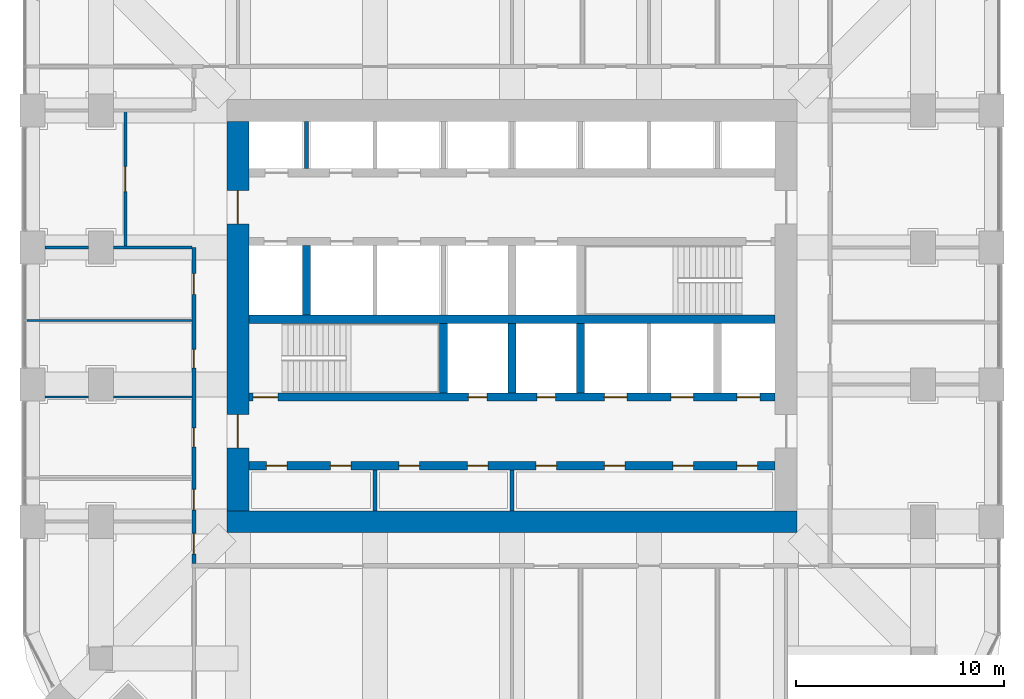
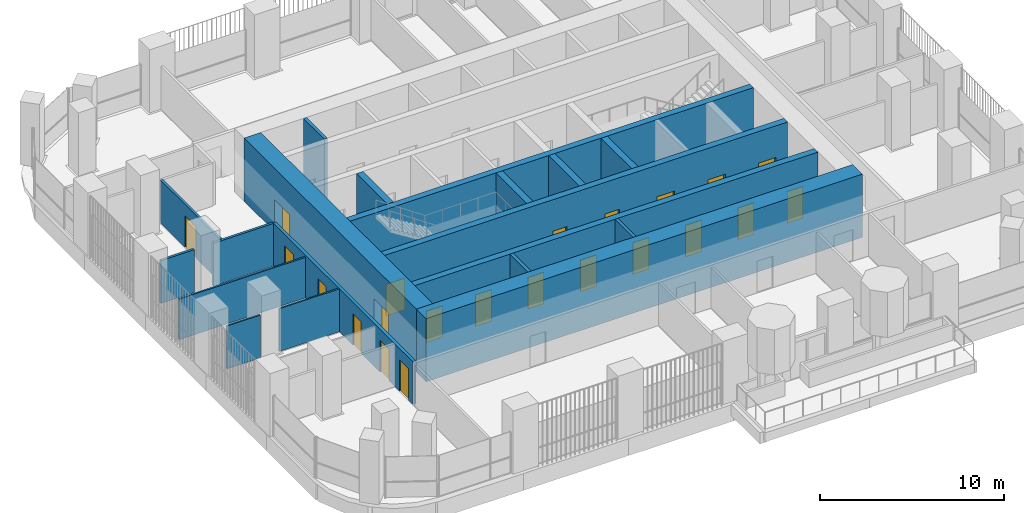
# One storey, part 13 of 19: 22 doors, 19 walls, 22 openings.
"""IFC4 building model written with IfcOpenShell, lengths in metres."""

from ifc_helpers import new_model, si_unit, direction, frame, frame_2d, origin, place, context, subcontext, project, spatial, rectangle, extrude, material, layer, layer_set, type_object, element, fill, save


model = new_model("IFC4")

# Units and contexts
model_context = context("Model", 3, precision=1e-05, world=origin(), true_north=direction((0.0, 1.0)))
body_context = subcontext(model_context, "Body", "Model", "MODEL_VIEW")
ifc_project = project(units=[si_unit("LENGTHUNIT", "METRE"), si_unit("AREAUNIT", "SQUARE_METRE"), si_unit("VOLUMEUNIT", "CUBIC_METRE"), si_unit("PLANEANGLEUNIT", "RADIAN"), si_unit("MASSUNIT", "GRAM", prefix="KILO")], contexts=[model_context])

# Site, building, storey
site_placement = place(None, origin())
site = spatial("IfcSite", under=ifc_project, at=site_placement, CompositionType="ELEMENT")
building_placement = place(site_placement, origin())
building = spatial("IfcBuilding", under=site, at=building_placement, Name="Cobogo Forest Laboratory Tower", CompositionType="ELEMENT")
storey_placement = place(building_placement, frame((0.0, 0.0, 172.5)))
storey = spatial("IfcBuildingStorey", under=building, at=storey_placement, Name="L39", CompositionType="ELEMENT", Elevation=172.5)

# Wall, openings, doors
ifc_material_1 = material(Name="Concrete HA-50 (C50/60)", Category="concrete")
ifc_layer_1 = layer(ifc_material_1, 0.39990234375)
ifc_layer_set_1 = layer_set([ifc_layer_1], Name="CI400 core inner wall 400")
wall_type_1 = type_object("IfcWallType", Name="CI400 core inner wall 400", PredefinedType="SHEAR", material=ifc_layer_set_1)
wall_1_placement = place(storey_placement, frame((13.72509765625, 15.89990234375, 0.0), z_axis=(0.0, 0.0, 1.0), x_axis=(1.0, 0.0, 0.0)))
wall_1 = element("IfcWall", 1, at=wall_1_placement, inside=storey, type_object=wall_type_1, Name="Core wall CI-15.9 L39", PredefinedType="SHEAR", context=body_context, shape_type="SweptSolid", body=[
    extrude(rectangle(XDim=25.349853515625, YDim=0.39990234375, at=frame_2d((12.6748046875, 0.0))), origin(), (0.0, 0.0, 1.0), 4.199951171875),
])
opening_1_placement = place(wall_1_placement, frame((0.83740234375, 0.0, 0.0)))
opening_1 = element("IfcOpeningElement", 2, at=opening_1_placement, cuts=wall_1, Name="Opening L39-D10", PredefinedType="OPENING", context=body_context, shape_type="SweptSolid", body=[
    extrude(rectangle(XDim=1.0, YDim=2.10009765625, at=frame_2d((0.5, 1.050048828125))), frame((0.0, 0.2099609375, 0.0), z_axis=(0.0, -1.0, 0.0), x_axis=(1.0, 0.0, 0.0)), (0.0, 0.0, 1.0), 0.419921875),
])
opening_2_placement = place(wall_1_placement, frame((3.925048828125, 0.0, 0.0)))
opening_2 = element("IfcOpeningElement", 3, at=opening_2_placement, cuts=wall_1, Name="Opening L39-D11", PredefinedType="OPENING", context=body_context, shape_type="SweptSolid", body=[
    extrude(rectangle(XDim=1.0, YDim=2.10009765625, at=frame_2d((0.5, 1.050048828125))), frame((0.0, 0.2099609375, 0.0), z_axis=(0.0, -1.0, 0.0), x_axis=(1.0, 0.0, 0.0)), (0.0, 0.0, 1.0), 0.419921875),
])
opening_3_placement = place(wall_1_placement, frame((7.22509765625, 0.0, 0.0)))
opening_3 = element("IfcOpeningElement", 4, at=opening_3_placement, cuts=wall_1, Name="Opening L39-D12", PredefinedType="OPENING", context=body_context, shape_type="SweptSolid", body=[
    extrude(rectangle(XDim=1.0, YDim=2.10009765625, at=frame_2d((0.5, 1.050048828125))), frame((0.0, 0.2099609375, 0.0), z_axis=(0.0, -1.0, 0.0), x_axis=(1.0, 0.0, 0.0)), (0.0, 0.0, 1.0), 0.419921875),
])
opening_4_placement = place(wall_1_placement, frame((10.52490234375, 0.0, 0.0)))
opening_4 = element("IfcOpeningElement", 5, at=opening_4_placement, cuts=wall_1, Name="Opening L39-D13", PredefinedType="OPENING", context=body_context, shape_type="SweptSolid", body=[
    extrude(rectangle(XDim=1.0, YDim=2.10009765625, at=frame_2d((0.5, 1.050048828125))), frame((0.0, 0.2099609375, 0.0), z_axis=(0.0, -1.0, 0.0), x_axis=(1.0, 0.0, 0.0)), (0.0, 0.0, 1.0), 0.419921875),
])
opening_5_placement = place(wall_1_placement, frame((13.824951171875, 0.0, 0.0)))
opening_5 = element("IfcOpeningElement", 6, at=opening_5_placement, cuts=wall_1, Name="Opening L39-D14", PredefinedType="OPENING", context=body_context, shape_type="SweptSolid", body=[
    extrude(rectangle(XDim=1.0, YDim=2.10009765625, at=frame_2d((0.5, 1.050048828125))), frame((0.0, 0.2099609375, 0.0), z_axis=(0.0, -1.0, 0.0), x_axis=(1.0, 0.0, 0.0)), (0.0, 0.0, 1.0), 0.419921875),
])
opening_6_placement = place(wall_1_placement, frame((17.125, 0.0, 0.0)))
opening_6 = element("IfcOpeningElement", 7, at=opening_6_placement, cuts=wall_1, Name="Opening L39-D15", PredefinedType="OPENING", context=body_context, shape_type="SweptSolid", body=[
    extrude(rectangle(XDim=1.0, YDim=2.10009765625, at=frame_2d((0.5, 1.050048828125))), frame((0.0, 0.2099609375, 0.0), z_axis=(0.0, -1.0, 0.0), x_axis=(1.0, 0.0, 0.0)), (0.0, 0.0, 1.0), 0.419921875),
])
opening_7_placement = place(wall_1_placement, frame((20.425048828125, 0.0, 0.0)))
opening_7 = element("IfcOpeningElement", 8, at=opening_7_placement, cuts=wall_1, Name="Opening L39-D16", PredefinedType="OPENING", context=body_context, shape_type="SweptSolid", body=[
    extrude(rectangle(XDim=1.0, YDim=2.10009765625, at=frame_2d((0.5, 1.050048828125))), frame((0.0, 0.2099609375, 0.0), z_axis=(0.0, -1.0, 0.0), x_axis=(1.0, 0.0, 0.0)), (0.0, 0.0, 1.0), 0.419921875),
])
opening_8_placement = place(wall_1_placement, frame((23.512451171875, 0.0, 0.0)))
opening_8 = element("IfcOpeningElement", 9, at=opening_8_placement, cuts=wall_1, Name="Opening L39-D17", PredefinedType="OPENING", context=body_context, shape_type="SweptSolid", body=[
    extrude(rectangle(XDim=1.0, YDim=2.10009765625, at=frame_2d((0.5, 1.050048828125))), frame((0.0, 0.2099609375, 0.0), z_axis=(0.0, -1.0, 0.0), x_axis=(1.0, 0.0, 0.0)), (0.0, 0.0, 1.0), 0.419921875),
])
ifc_material_2 = material(Name="Steel fire door", Category="steel")
door_type_1 = type_object("IfcDoorType", Name="FD1 fire door 1000 EI2 60", OperationType="SINGLE_SWING_LEFT", PredefinedType="DOOR", material=ifc_material_2)
door_1_placement = place(opening_1_placement, origin())
door_1 = element("IfcDoor", 10, at=door_1_placement, inside=storey, type_object=door_type_1, Name="Door L39-SH-LA1", OperationType="SINGLE_SWING_LEFT", OverallHeight=2.10009765625, OverallWidth=1.0, PredefinedType="DOOR", context=body_context, shape_type="SweptSolid", body=[
    extrude(rectangle(XDim=1.0, YDim=2.10009765625, at=frame_2d((0.5, 1.050048828125))), frame((0.0, 0.02490234375, 0.0), z_axis=(0.0, -1.0, 0.0), x_axis=(1.0, 0.0, 0.0)), (0.0, 0.0, 1.0), 0.050048828125),
])
fill(opening_1, door_1)
door_2_placement = place(opening_2_placement, origin())
door_2 = element("IfcDoor", 11, at=door_2_placement, inside=storey, type_object=door_type_1, Name="Door L39-SH-LA2", OperationType="SINGLE_SWING_LEFT", OverallHeight=2.10009765625, OverallWidth=1.0, PredefinedType="DOOR", context=body_context, shape_type="SweptSolid", body=[
    extrude(rectangle(XDim=1.0, YDim=2.10009765625, at=frame_2d((0.5, 1.050048828125))), frame((0.0, 0.02490234375, 0.0), z_axis=(0.0, -1.0, 0.0), x_axis=(1.0, 0.0, 0.0)), (0.0, 0.0, 1.0), 0.050048828125),
])
fill(opening_2, door_2)
door_3_placement = place(opening_3_placement, origin())
door_3 = element("IfcDoor", 12, at=door_3_placement, inside=storey, type_object=door_type_1, Name="Door L39-SH-LA3", OperationType="SINGLE_SWING_LEFT", OverallHeight=2.10009765625, OverallWidth=1.0, PredefinedType="DOOR", context=body_context, shape_type="SweptSolid", body=[
    extrude(rectangle(XDim=1.0, YDim=2.10009765625, at=frame_2d((0.5, 1.050048828125))), frame((0.0, 0.02490234375, 0.0), z_axis=(0.0, -1.0, 0.0), x_axis=(1.0, 0.0, 0.0)), (0.0, 0.0, 1.0), 0.050048828125),
])
fill(opening_3, door_3)
door_4_placement = place(opening_4_placement, origin())
door_4 = element("IfcDoor", 13, at=door_4_placement, inside=storey, type_object=door_type_1, Name="Door L39-SH-LA4", OperationType="SINGLE_SWING_LEFT", OverallHeight=2.10009765625, OverallWidth=1.0, PredefinedType="DOOR", context=body_context, shape_type="SweptSolid", body=[
    extrude(rectangle(XDim=1.0, YDim=2.10009765625, at=frame_2d((0.5, 1.050048828125))), frame((0.0, 0.02490234375, 0.0), z_axis=(0.0, -1.0, 0.0), x_axis=(1.0, 0.0, 0.0)), (0.0, 0.0, 1.0), 0.050048828125),
])
fill(opening_4, door_4)
door_5_placement = place(opening_5_placement, origin())
door_5 = element("IfcDoor", 14, at=door_5_placement, inside=storey, type_object=door_type_1, Name="Door L39-SH-LB1", OperationType="SINGLE_SWING_RIGHT", OverallHeight=2.10009765625, OverallWidth=1.0, PredefinedType="DOOR", context=body_context, shape_type="SweptSolid", body=[
    extrude(rectangle(XDim=1.0, YDim=2.10009765625, at=frame_2d((0.5, 1.050048828125))), frame((0.0, 0.02490234375, 0.0), z_axis=(0.0, -1.0, 0.0), x_axis=(1.0, 0.0, 0.0)), (0.0, 0.0, 1.0), 0.050048828125),
])
fill(opening_5, door_5)
door_6_placement = place(opening_6_placement, origin())
door_6 = element("IfcDoor", 15, at=door_6_placement, inside=storey, type_object=door_type_1, Name="Door L39-SH-LB2", OperationType="SINGLE_SWING_RIGHT", OverallHeight=2.10009765625, OverallWidth=1.0, PredefinedType="DOOR", context=body_context, shape_type="SweptSolid", body=[
    extrude(rectangle(XDim=1.0, YDim=2.10009765625, at=frame_2d((0.5, 1.050048828125))), frame((0.0, 0.02490234375, 0.0), z_axis=(0.0, -1.0, 0.0), x_axis=(1.0, 0.0, 0.0)), (0.0, 0.0, 1.0), 0.050048828125),
])
fill(opening_6, door_6)
door_7_placement = place(opening_7_placement, origin())
door_7 = element("IfcDoor", 16, at=door_7_placement, inside=storey, type_object=door_type_1, Name="Door L39-SH-LB3", OperationType="SINGLE_SWING_RIGHT", OverallHeight=2.10009765625, OverallWidth=1.0, PredefinedType="DOOR", context=body_context, shape_type="SweptSolid", body=[
    extrude(rectangle(XDim=1.0, YDim=2.10009765625, at=frame_2d((0.5, 1.050048828125))), frame((0.0, 0.02490234375, 0.0), z_axis=(0.0, -1.0, 0.0), x_axis=(1.0, 0.0, 0.0)), (0.0, 0.0, 1.0), 0.050048828125),
])
fill(opening_7, door_7)
door_8_placement = place(opening_8_placement, origin())
door_8 = element("IfcDoor", 17, at=door_8_placement, inside=storey, type_object=door_type_1, Name="Door L39-SH-LB4", OperationType="SINGLE_SWING_RIGHT", OverallHeight=2.10009765625, OverallWidth=1.0, PredefinedType="DOOR", context=body_context, shape_type="SweptSolid", body=[
    extrude(rectangle(XDim=1.0, YDim=2.10009765625, at=frame_2d((0.5, 1.050048828125))), frame((0.0, 0.02490234375, 0.0), z_axis=(0.0, -1.0, 0.0), x_axis=(1.0, 0.0, 0.0)), (0.0, 0.0, 1.0), 0.050048828125),
])
fill(opening_8, door_8)

wall_2_placement = place(storey_placement, frame((13.72509765625, 19.199951171875, 0.0), z_axis=(0.0, 0.0, 1.0), x_axis=(1.0, 0.0, 0.0)))
wall_2 = element("IfcWall", 18, at=wall_2_placement, inside=storey, type_object=wall_type_1, Name="Core wall CI-19.2 L39", PredefinedType="SHEAR", context=body_context, shape_type="SweptSolid", body=[
    extrude(rectangle(XDim=25.349853515625, YDim=0.39990234375, at=frame_2d((12.6748046875, 0.0))), origin(), (0.0, 0.0, 1.0), 4.199951171875),
])
opening_9_placement = place(wall_2_placement, frame((10.574951171875, 0.0, 0.0)))
opening_9 = element("IfcOpeningElement", 19, at=opening_9_placement, cuts=wall_2, Name="Opening L39-D22", PredefinedType="OPENING", context=body_context, shape_type="SweptSolid", body=[
    extrude(rectangle(XDim=0.89990234375, YDim=2.10009765625, at=frame_2d((0.449951171875, 1.050048828125))), frame((0.0, 0.2099609375, 0.0), z_axis=(0.0, -1.0, 0.0), x_axis=(1.0, 0.0, 0.0)), (0.0, 0.0, 1.0), 0.419921875),
])
opening_10_placement = place(wall_2_placement, frame((13.875, 0.0, 0.0)))
opening_10 = element("IfcOpeningElement", 20, at=opening_10_placement, cuts=wall_2, Name="Opening L39-D23", PredefinedType="OPENING", context=body_context, shape_type="SweptSolid", body=[
    extrude(rectangle(XDim=0.89990234375, YDim=2.10009765625, at=frame_2d((0.449951171875, 1.050048828125))), frame((0.0, 0.2099609375, 0.0), z_axis=(0.0, -1.0, 0.0), x_axis=(1.0, 0.0, 0.0)), (0.0, 0.0, 1.0), 0.419921875),
])
opening_11_placement = place(wall_2_placement, frame((0.199951171875, 0.0, 0.0)))
opening_11 = element("IfcOpeningElement", 21, at=opening_11_placement, cuts=wall_2, Name="Opening L39-D21", PredefinedType="OPENING", context=body_context, shape_type="SweptSolid", body=[
    extrude(rectangle(XDim=1.199951171875, YDim=2.10009765625, at=frame_2d((0.60009765625, 1.050048828125))), frame((0.0, 0.2099609375, 0.0), z_axis=(0.0, -1.0, 0.0), x_axis=(1.0, 0.0, 0.0)), (0.0, 0.0, 1.0), 0.419921875),
])
opening_12_placement = place(wall_2_placement, frame((23.512451171875, 0.0, 0.0)))
opening_12 = element("IfcOpeningElement", 22, at=opening_12_placement, cuts=wall_2, Name="Opening L39-LD-FL2", PredefinedType="OPENING", context=body_context, shape_type="SweptSolid", body=[
    extrude(rectangle(XDim=1.10009765625, YDim=2.10009765625, at=frame_2d((0.550048828125, 1.050048828125))), frame((0.0, 0.2099609375, 0.0), z_axis=(0.0, -1.0, 0.0), x_axis=(1.0, 0.0, 0.0)), (0.0, 0.0, 1.0), 0.419921875),
])
opening_13_placement = place(wall_2_placement, frame((17.125, 0.0, 0.0)))
opening_13 = element("IfcOpeningElement", 23, at=opening_13_placement, cuts=wall_2, Name="Opening L39-LD-LS1", PredefinedType="OPENING", context=body_context, shape_type="SweptSolid", body=[
    extrude(rectangle(XDim=1.10009765625, YDim=2.10009765625, at=frame_2d((0.550048828125, 1.050048828125))), frame((0.0, 0.2099609375, 0.0), z_axis=(0.0, -1.0, 0.0), x_axis=(1.0, 0.0, 0.0)), (0.0, 0.0, 1.0), 0.419921875),
])
opening_14_placement = place(wall_2_placement, frame((20.324951171875, 0.0, 0.0)))
opening_14 = element("IfcOpeningElement", 24, at=opening_14_placement, cuts=wall_2, Name="Opening L39-LD-LS2", PredefinedType="OPENING", context=body_context, shape_type="SweptSolid", body=[
    extrude(rectangle(XDim=1.10009765625, YDim=2.10009765625, at=frame_2d((0.550048828125, 1.050048828125))), frame((0.0, 0.2099609375, 0.0), z_axis=(0.0, -1.0, 0.0), x_axis=(1.0, 0.0, 0.0)), (0.0, 0.0, 1.0), 0.419921875),
])
door_type_2 = type_object("IfcDoorType", Name="DS1 protected stair door 1200 EI2 60", OperationType="SINGLE_SWING_LEFT", PredefinedType="DOOR", material=ifc_material_2)
door_9_placement = place(opening_11_placement, origin())
door_9 = element("IfcDoor", 25, at=door_9_placement, inside=storey, type_object=door_type_2, Name="Door L39-ST1", OperationType="SINGLE_SWING_LEFT", OverallHeight=2.10009765625, OverallWidth=1.199951171875, PredefinedType="DOOR", context=body_context, shape_type="SweptSolid", body=[
    extrude(rectangle(XDim=1.199951171875, YDim=2.10009765625, at=frame_2d((0.60009765625, 1.050048828125))), frame((0.0, 0.02490234375, 0.0), z_axis=(0.0, -1.0, 0.0), x_axis=(1.0, 0.0, 0.0)), (0.0, 0.0, 1.0), 0.050048828125),
])
fill(opening_11, door_9)
door_type_3 = type_object("IfcDoorType", Name="FD4 riser access door 900 EI2 60", OperationType="SINGLE_SWING_LEFT", PredefinedType="DOOR", material=ifc_material_2)
door_10_placement = place(opening_9_placement, origin())
door_10 = element("IfcDoor", 26, at=door_10_placement, inside=storey, type_object=door_type_3, Name="Door L39-R1", OperationType="SINGLE_SWING_LEFT", OverallHeight=2.10009765625, OverallWidth=0.89990234375, PredefinedType="DOOR", context=body_context, shape_type="SweptSolid", body=[
    extrude(rectangle(XDim=0.89990234375, YDim=2.10009765625, at=frame_2d((0.449951171875, 1.050048828125))), frame((0.0, 0.02490234375, 0.0), z_axis=(0.0, -1.0, 0.0), x_axis=(1.0, 0.0, 0.0)), (0.0, 0.0, 1.0), 0.050048828125),
])
fill(opening_9, door_10)
door_11_placement = place(opening_10_placement, origin())
door_11 = element("IfcDoor", 27, at=door_11_placement, inside=storey, type_object=door_type_3, Name="Door L39-R2", OperationType="SINGLE_SWING_RIGHT", OverallHeight=2.10009765625, OverallWidth=0.89990234375, PredefinedType="DOOR", context=body_context, shape_type="SweptSolid", body=[
    extrude(rectangle(XDim=0.89990234375, YDim=2.10009765625, at=frame_2d((0.449951171875, 1.050048828125))), frame((0.0, 0.02490234375, 0.0), z_axis=(0.0, -1.0, 0.0), x_axis=(1.0, 0.0, 0.0)), (0.0, 0.0, 1.0), 0.050048828125),
])
fill(opening_10, door_11)
ifc_material_3 = material(Name="Stainless steel lift door", Category="steel")
door_type_4 = type_object("IfcDoorType", Name="LD lift landing door 1100", OperationType="DOUBLE_DOOR_SLIDING", PredefinedType="DOOR", material=ifc_material_3)
door_12_placement = place(opening_12_placement, origin())
door_12 = element("IfcDoor", 28, at=door_12_placement, inside=storey, type_object=door_type_4, Name="Lift landing door FL2 L39", OperationType="DOUBLE_DOOR_SLIDING", OverallHeight=2.10009765625, OverallWidth=1.10009765625, PredefinedType="DOOR", context=body_context, shape_type="SweptSolid", body=[
    extrude(rectangle(XDim=1.10009765625, YDim=2.10009765625, at=frame_2d((0.550048828125, 1.050048828125))), frame((0.0, 0.02490234375, 0.0), z_axis=(0.0, -1.0, 0.0), x_axis=(1.0, 0.0, 0.0)), (0.0, 0.0, 1.0), 0.050048828125),
])
fill(opening_12, door_12)
door_13_placement = place(opening_13_placement, origin())
door_13 = element("IfcDoor", 29, at=door_13_placement, inside=storey, type_object=door_type_4, Name="Lift landing door LS1 L39", OperationType="DOUBLE_DOOR_SLIDING", OverallHeight=2.10009765625, OverallWidth=1.10009765625, PredefinedType="DOOR", context=body_context, shape_type="SweptSolid", body=[
    extrude(rectangle(XDim=1.10009765625, YDim=2.10009765625, at=frame_2d((0.550048828125, 1.050048828125))), frame((0.0, 0.02490234375, 0.0), z_axis=(0.0, -1.0, 0.0), x_axis=(1.0, 0.0, 0.0)), (0.0, 0.0, 1.0), 0.050048828125),
])
fill(opening_13, door_13)
door_14_placement = place(opening_14_placement, origin())
door_14 = element("IfcDoor", 30, at=door_14_placement, inside=storey, type_object=door_type_4, Name="Lift landing door LS2 L39", OperationType="DOUBLE_DOOR_SLIDING", OverallHeight=2.10009765625, OverallWidth=1.10009765625, PredefinedType="DOOR", context=body_context, shape_type="SweptSolid", body=[
    extrude(rectangle(XDim=1.10009765625, YDim=2.10009765625, at=frame_2d((0.550048828125, 1.050048828125))), frame((0.0, 0.02490234375, 0.0), z_axis=(0.0, -1.0, 0.0), x_axis=(1.0, 0.0, 0.0)), (0.0, 0.0, 1.0), 0.050048828125),
])
fill(opening_14, door_14)

# Walls
wall_3_placement = place(storey_placement, frame((13.72509765625, 22.949951171875, 0.0), z_axis=(0.0, 0.0, 1.0), x_axis=(1.0, 0.0, 0.0)))
element("IfcWall", 31, at=wall_3_placement, inside=storey, type_object=wall_type_1, Name="Core wall CI-22.95 L39", PredefinedType="SHEAR", context=body_context, shape_type="SweptSolid", body=[
    extrude(rectangle(XDim=25.349853515625, YDim=0.39990234375, at=frame_2d((12.6748046875, 0.0))), origin(), (0.0, 0.0, 1.0), 4.199951171875),
])
for number, where, z_axis, x_axis, name in (
    (32, (23.10009765625, 19.39990234375, 0.0), (0.0, 0.0, 1.0), (0.0, 1.0, 0.0), "Core wall CX-23.1 L39"),
    (33, (26.39990234375, 19.39990234375, 0.0), (0.0, 0.0, 1.0), (0.0, 1.0, 0.0), "Core wall CX-26.4S L39"),
    (34, (29.699951171875, 19.39990234375, 0.0), (0.0, 0.0, 1.0), (0.0, 1.0, 0.0), "Core wall CX-29.7S L39"),
    (35, (16.5, 23.14990234375, 0.0), (0.0, 0.0, 1.0), (0.0, 1.0, 0.0), "Core wall CX-16.5 L39"),
):
    element("IfcWall", number, at=place(storey_placement, frame(where, z_axis=z_axis, x_axis=x_axis)), inside=storey, type_object=wall_type_1, Name=name, PredefinedType="SHEAR", context=body_context, shape_type="SweptSolid", body=[
        extrude(rectangle(XDim=3.35009765625, YDim=0.39990234375, at=frame_2d((1.675048828125, 0.0))), origin(), (0.0, 0.0, 1.0), 4.199951171875),
    ])
ifc_layer_2 = layer(ifc_material_1, 1.050048828125)
ifc_layer_set_2 = layer_set([ifc_layer_2], Name="CW1050 core outer wall 1050")
wall_type_2 = type_object("IfcWallType", Name="CW1050 core outer wall 1050", PredefinedType="SHEAR", material=ifc_layer_set_2)
wall_4_placement = place(storey_placement, frame((12.675048828125, 13.199951171875, 0.0), z_axis=(0.0, 0.0, 1.0), x_axis=(1.0, 0.0, 0.0)))
element("IfcWall", 36, at=wall_4_placement, inside=storey, type_object=wall_type_2, Name="Core wall CO-S L39", PredefinedType="SHEAR", context=body_context, shape_type="SweptSolid", body=[
    extrude(rectangle(XDim=27.449951171875, YDim=1.050048828125, at=frame_2d((13.72509765625, 0.0))), origin(), (0.0, 0.0, 1.0), 4.199951171875),
])

# Wall, openings, doors
wall_5_placement = place(storey_placement, frame((13.199951171875, 32.47509765625, 0.0), z_axis=(0.0, 0.0, 1.0), x_axis=(0.0, -1.0, 0.0)))
wall_5 = element("IfcWall", 37, at=wall_5_placement, inside=storey, type_object=wall_type_2, Name="Core wall CO-W L39", PredefinedType="SHEAR", context=body_context, shape_type="SweptSolid", body=[
    extrude(rectangle(XDim=18.75, YDim=1.050048828125, at=frame_2d((9.375, 0.0))), origin(), (0.0, 0.0, 1.0), 4.199951171875),
])
opening_15_placement = place(wall_5_placement, frame((14.125, 0.0, 0.0)))
opening_15 = element("IfcOpeningElement", 38, at=opening_15_placement, cuts=wall_5, Name="Opening L39-D19", PredefinedType="OPENING", context=body_context, shape_type="SweptSolid", body=[
    extrude(rectangle(XDim=1.60009765625, YDim=2.10009765625, at=frame_2d((0.800048828125, 1.050048828125))), frame((0.0, 0.534912109375, 0.0), z_axis=(0.0, -1.0, 0.0), x_axis=(1.0, 0.0, 0.0)), (0.0, 0.0, 1.0), 1.070068359375),
])
opening_16_placement = place(wall_5_placement, frame((3.324951171875, 0.0, 0.0)))
opening_16 = element("IfcOpeningElement", 39, at=opening_16_placement, cuts=wall_5, Name="Opening L39-D29", PredefinedType="OPENING", context=body_context, shape_type="SweptSolid", body=[
    extrude(rectangle(XDim=1.60009765625, YDim=2.10009765625, at=frame_2d((0.800048828125, 1.050048828125))), frame((0.0, 0.534912109375, 0.0), z_axis=(0.0, -1.0, 0.0), x_axis=(1.0, 0.0, 0.0)), (0.0, 0.0, 1.0), 1.070068359375),
])
door_type_5 = type_object("IfcDoorType", Name="DS2 protected lobby door pair 1600 EI2 60", OperationType="DOUBLE_DOOR_DOUBLE_SWING", PredefinedType="DOOR", material=ifc_material_2)
door_15_placement = place(opening_15_placement, origin())
door_15 = element("IfcDoor", 40, at=door_15_placement, inside=storey, type_object=door_type_5, Name="Door L39-CO-W-S", OperationType="DOUBLE_DOOR_DOUBLE_SWING", OverallHeight=2.10009765625, OverallWidth=1.60009765625, PredefinedType="DOOR", context=body_context, shape_type="SweptSolid", body=[
    extrude(rectangle(XDim=1.60009765625, YDim=2.10009765625, at=frame_2d((0.800048828125, 1.050048828125))), frame((0.0, 0.02490234375, 0.0), z_axis=(0.0, -1.0, 0.0), x_axis=(1.0, 0.0, 0.0)), (0.0, 0.0, 1.0), 0.050048828125),
])
fill(opening_15, door_15)
door_16_placement = place(opening_16_placement, origin())
door_16 = element("IfcDoor", 41, at=door_16_placement, inside=storey, type_object=door_type_5, Name="Door L39-CO-W-N", OperationType="DOUBLE_DOOR_DOUBLE_SWING", OverallHeight=2.10009765625, OverallWidth=1.60009765625, PredefinedType="DOOR", context=body_context, shape_type="SweptSolid", body=[
    extrude(rectangle(XDim=1.60009765625, YDim=2.10009765625, at=frame_2d((0.800048828125, 1.050048828125))), frame((0.0, 0.02490234375, 0.0), z_axis=(0.0, -1.0, 0.0), x_axis=(1.0, 0.0, 0.0)), (0.0, 0.0, 1.0), 0.050048828125),
])
fill(opening_16, door_16)

# Wall, opening, door
ifc_material_4 = material(Name="Gypsum board on steel studs", Category="steel")
ifc_layer_3 = layer(ifc_material_4, 0.14990234375)
ifc_layer_set_3 = layer_set([ifc_layer_3], Name="PT1 laboratory partition 150")
wall_type_3 = type_object("IfcWallType", Name="PT1 laboratory partition 150", PredefinedType="PARTITIONING", material=ifc_layer_set_3)
wall_6_placement = place(storey_placement, frame((7.77490234375, 26.39990234375, 0.0), z_axis=(0.0, 0.0, 1.0), x_axis=(0.0, 1.0, 0.0)))
wall_6 = element("IfcWall", 42, at=wall_6_placement, inside=storey, type_object=wall_type_3, Name="Partition NODE-W-1 L39", PredefinedType="PARTITIONING", context=body_context, shape_type="SweptSolid", body=[
    extrude(rectangle(XDim=6.60009765625, YDim=0.14990234375, at=frame_2d((3.300048828125, 0.0))), origin(), (0.0, 0.0, 1.0), 2.85009765625),
])
opening_17_placement = place(wall_6_placement, frame((2.699951171875, 0.0, 0.0)))
opening_17 = element("IfcOpeningElement", 43, at=opening_17_placement, cuts=wall_6, Name="Opening L39-D31", PredefinedType="OPENING", context=body_context, shape_type="SweptSolid", body=[
    extrude(rectangle(XDim=1.199951171875, YDim=2.10009765625, at=frame_2d((0.60009765625, 1.050048828125))), frame((0.0, 0.0849609375, 0.0), z_axis=(0.0, -1.0, 0.0), x_axis=(1.0, 0.0, 0.0)), (0.0, 0.0, 1.0), 0.169921875),
])
ifc_material_5 = material(Name="Timber door", Category="wood")
door_type_6 = type_object("IfcDoorType", Name="D2 laboratory door 1200 unequal pair", OperationType="DOUBLE_DOOR_SINGLE_SWING", PredefinedType="DOOR", material=ifc_material_5)
door_17_placement = place(opening_17_placement, origin())
door_17 = element("IfcDoor", 44, at=door_17_placement, inside=storey, type_object=door_type_6, Name="Door L39-W3", OperationType="DOUBLE_DOOR_SINGLE_SWING", OverallHeight=2.10009765625, OverallWidth=1.199951171875, PredefinedType="DOOR", context=body_context, shape_type="SweptSolid", body=[
    extrude(rectangle(XDim=1.199951171875, YDim=2.10009765625, at=frame_2d((0.60009765625, 1.050048828125))), frame((0.0, 0.02490234375, 0.0), z_axis=(0.0, -1.0, 0.0), x_axis=(1.0, 0.0, 0.0)), (0.0, 0.0, 1.0), 0.050048828125),
])
fill(opening_17, door_17)

# Walls
wall_7_placement = place(storey_placement, frame((3.89990234375, 26.39990234375, 0.0), z_axis=(0.0, 0.0, 1.0), x_axis=(1.0, 0.0, 0.0)))
element("IfcWall", 45, at=wall_7_placement, inside=storey, type_object=wall_type_3, Name="Partition CUT-W26.4-1 L39", PredefinedType="PARTITIONING", context=body_context, shape_type="SweptSolid", body=[
    extrude(rectangle(XDim=2.10009765625, YDim=0.14990234375, at=frame_2d((1.050048828125, 0.0))), origin(), (0.0, 0.0, 1.0), 2.85009765625),
])
wall_8_placement = place(storey_placement, frame((7.199951171875, 26.39990234375, 0.0), z_axis=(0.0, 0.0, 1.0), x_axis=(1.0, 0.0, 0.0)))
element("IfcWall", 46, at=wall_8_placement, inside=storey, type_object=wall_type_3, Name="Partition CUT-W26.4-2 L39", PredefinedType="PARTITIONING", context=body_context, shape_type="SweptSolid", body=[
    extrude(rectangle(XDim=3.775146484375, YDim=0.14990234375, at=frame_2d((1.8876953125, 0.0))), origin(), (0.0, 0.0, 1.0), 2.85009765625),
])

# Wall, openings, doors
ifc_layer_4 = layer(ifc_material_4, 0.199951171875)
ifc_layer_set_4 = layer_set([ifc_layer_4], Name="PT2 fire-rated corridor partition 200")
wall_type_4 = type_object("IfcWallType", Name="PT2 fire-rated corridor partition 200", PredefinedType="PARTITIONING", material=ifc_layer_set_4)
wall_9_placement = place(storey_placement, frame((11.074951171875, 11.175048828125, 0.0), z_axis=(0.0, 0.0, 1.0), x_axis=(0.0, 1.0, 0.0)))
wall_9 = element("IfcWall", 47, at=wall_9_placement, inside=storey, type_object=wall_type_4, Name="Partition CORR-W-1 L39", PredefinedType="PARTITIONING", context=body_context, shape_type="SweptSolid", body=[
    extrude(rectangle(XDim=15.224853515625, YDim=0.199951171875, at=frame_2d((7.6123046875, 0.0))), origin(), (0.0, 0.0, 1.0), 2.85009765625),
])
opening_18_placement = place(wall_9_placement, frame((0.46240234375, 0.0, 0.0)))
opening_18 = element("IfcOpeningElement", 48, at=opening_18_placement, cuts=wall_9, Name="Opening L39-D07", PredefinedType="OPENING", context=body_context, shape_type="SweptSolid", body=[
    extrude(rectangle(XDim=1.0, YDim=2.10009765625, at=frame_2d((0.5, 1.050048828125))), frame((0.0, 0.10986328125, 0.0), z_axis=(0.0, -1.0, 0.0), x_axis=(1.0, 0.0, 0.0)), (0.0, 0.0, 1.0), 0.219970703125),
])
opening_19_placement = place(wall_9_placement, frame((2.574951171875, 0.0, 0.0)))
opening_19 = element("IfcOpeningElement", 49, at=opening_19_placement, cuts=wall_9, Name="Opening L39-D08", PredefinedType="OPENING", context=body_context, shape_type="SweptSolid", body=[
    extrude(rectangle(XDim=1.0, YDim=2.10009765625, at=frame_2d((0.5, 1.050048828125))), frame((0.0, 0.10986328125, 0.0), z_axis=(0.0, -1.0, 0.0), x_axis=(1.0, 0.0, 0.0)), (0.0, 0.0, 1.0), 0.219970703125),
])
opening_20_placement = place(wall_9_placement, frame((5.625, 0.0, 0.0)))
opening_20 = element("IfcOpeningElement", 50, at=opening_20_placement, cuts=wall_9, Name="Opening L39-D18", PredefinedType="OPENING", context=body_context, shape_type="SweptSolid", body=[
    extrude(rectangle(XDim=0.89990234375, YDim=2.10009765625, at=frame_2d((0.449951171875, 1.050048828125))), frame((0.0, 0.10986328125, 0.0), z_axis=(0.0, -1.0, 0.0), x_axis=(1.0, 0.0, 0.0)), (0.0, 0.0, 1.0), 0.219970703125),
])
opening_21_placement = place(wall_9_placement, frame((9.425048828125, 0.0, 0.0)))
opening_21 = element("IfcOpeningElement", 51, at=opening_21_placement, cuts=wall_9, Name="Opening L39-D24", PredefinedType="OPENING", context=body_context, shape_type="SweptSolid", body=[
    extrude(rectangle(XDim=0.89990234375, YDim=2.10009765625, at=frame_2d((0.449951171875, 1.050048828125))), frame((0.0, 0.10986328125, 0.0), z_axis=(0.0, -1.0, 0.0), x_axis=(1.0, 0.0, 0.0)), (0.0, 0.0, 1.0), 0.219970703125),
])
opening_22_placement = place(wall_9_placement, frame((12.97509765625, 0.0, 0.0)))
opening_22 = element("IfcOpeningElement", 52, at=opening_22_placement, cuts=wall_9, Name="Opening L39-D27", PredefinedType="OPENING", context=body_context, shape_type="SweptSolid", body=[
    extrude(rectangle(XDim=1.0, YDim=2.10009765625, at=frame_2d((0.5, 1.050048828125))), frame((0.0, 0.10986328125, 0.0), z_axis=(0.0, -1.0, 0.0), x_axis=(1.0, 0.0, 0.0)), (0.0, 0.0, 1.0), 0.219970703125),
])
ifc_material_6 = material(Name="Timber fire door", Category="wood")
door_type_7 = type_object("IfcDoorType", Name="FD2 fire door 1000 EI2 30", OperationType="SINGLE_SWING_LEFT", PredefinedType="DOOR", material=ifc_material_6)
door_18_placement = place(opening_18_placement, origin())
door_18 = element("IfcDoor", 53, at=door_18_placement, inside=storey, type_object=door_type_7, Name="Door L39-W1", OperationType="SINGLE_SWING_LEFT", OverallHeight=2.10009765625, OverallWidth=1.0, PredefinedType="DOOR", context=body_context, shape_type="SweptSolid", body=[
    extrude(rectangle(XDim=1.0, YDim=2.10009765625, at=frame_2d((0.5, 1.050048828125))), frame((0.0, 0.02490234375, 0.0), z_axis=(0.0, -1.0, 0.0), x_axis=(1.0, 0.0, 0.0)), (0.0, 0.0, 1.0), 0.050048828125),
])
fill(opening_18, door_18)
door_19_placement = place(opening_22_placement, origin())
door_19 = element("IfcDoor", 54, at=door_19_placement, inside=storey, type_object=door_type_7, Name="Door L39-SHW", OperationType="SINGLE_SWING_RIGHT", OverallHeight=2.10009765625, OverallWidth=1.0, PredefinedType="DOOR", context=body_context, shape_type="SweptSolid", body=[
    extrude(rectangle(XDim=1.0, YDim=2.10009765625, at=frame_2d((0.5, 1.050048828125))), frame((0.0, 0.02490234375, 0.0), z_axis=(0.0, -1.0, 0.0), x_axis=(1.0, 0.0, 0.0)), (0.0, 0.0, 1.0), 0.050048828125),
])
fill(opening_22, door_19)
door_type_8 = type_object("IfcDoorType", Name="FD3 toilet fire door 900 EI2 30", OperationType="SINGLE_SWING_LEFT", PredefinedType="DOOR", material=ifc_material_6)
door_20_placement = place(opening_20_placement, origin())
door_20 = element("IfcDoor", 55, at=door_20_placement, inside=storey, type_object=door_type_8, Name="Door L39-WCF", OperationType="SINGLE_SWING_LEFT", OverallHeight=2.10009765625, OverallWidth=0.89990234375, PredefinedType="DOOR", context=body_context, shape_type="SweptSolid", body=[
    extrude(rectangle(XDim=0.89990234375, YDim=2.10009765625, at=frame_2d((0.449951171875, 1.050048828125))), frame((0.0, 0.02490234375, 0.0), z_axis=(0.0, -1.0, 0.0), x_axis=(1.0, 0.0, 0.0)), (0.0, 0.0, 1.0), 0.050048828125),
])
fill(opening_20, door_20)
door_21_placement = place(opening_21_placement, origin())
door_21 = element("IfcDoor", 56, at=door_21_placement, inside=storey, type_object=door_type_8, Name="Door L39-WCM", OperationType="SINGLE_SWING_RIGHT", OverallHeight=2.10009765625, OverallWidth=0.89990234375, PredefinedType="DOOR", context=body_context, shape_type="SweptSolid", body=[
    extrude(rectangle(XDim=0.89990234375, YDim=2.10009765625, at=frame_2d((0.449951171875, 1.050048828125))), frame((0.0, 0.02490234375, 0.0), z_axis=(0.0, -1.0, 0.0), x_axis=(1.0, 0.0, 0.0)), (0.0, 0.0, 1.0), 0.050048828125),
])
fill(opening_21, door_21)
door_type_9 = type_object("IfcDoorType", Name="FDA1 accessible toilet fire door 1000 EI2 30", OperationType="SINGLE_SWING_RIGHT", PredefinedType="DOOR", material=ifc_material_6)
door_22_placement = place(opening_19_placement, origin())
door_22 = element("IfcDoor", 57, at=door_22_placement, inside=storey, type_object=door_type_9, Name="Door L39-WCA", OperationType="SINGLE_SWING_LEFT", OverallHeight=2.10009765625, OverallWidth=1.0, PredefinedType="DOOR", context=body_context, shape_type="SweptSolid", body=[
    extrude(rectangle(XDim=1.0, YDim=2.10009765625, at=frame_2d((0.5, 1.050048828125))), frame((0.0, 0.02490234375, 0.0), z_axis=(0.0, -1.0, 0.0), x_axis=(1.0, 0.0, 0.0)), (0.0, 0.0, 1.0), 0.050048828125),
])
fill(opening_19, door_22)

# Walls
ifc_layer_5 = layer(ifc_material_4, 0.10009765625)
ifc_layer_set_5 = layer_set([ifc_layer_5], Name="PT3 toilet partition 100")
wall_type_5 = type_object("IfcWallType", Name="PT3 toilet partition 100", PredefinedType="PARTITIONING", material=ifc_layer_set_5)
wall_10_placement = place(storey_placement, frame((3.89990234375, 19.199951171875, 0.0), z_axis=(0.0, 0.0, 1.0), x_axis=(1.0, 0.0, 0.0)))
element("IfcWall", 58, at=wall_10_placement, inside=storey, type_object=wall_type_5, Name="Partition SVC-W2-1 L39", PredefinedType="PARTITIONING", context=body_context, shape_type="SweptSolid", body=[
    extrude(rectangle(XDim=2.10009765625, YDim=0.10009765625, at=frame_2d((1.050048828125, 0.0))), origin(), (0.0, 0.0, 1.0), 2.85009765625),
])
wall_11_placement = place(storey_placement, frame((7.199951171875, 19.199951171875, 0.0), z_axis=(0.0, 0.0, 1.0), x_axis=(1.0, 0.0, 0.0)))
element("IfcWall", 59, at=wall_11_placement, inside=storey, type_object=wall_type_5, Name="Partition SVC-W2-2 L39", PredefinedType="PARTITIONING", context=body_context, shape_type="SweptSolid", body=[
    extrude(rectangle(XDim=3.775146484375, YDim=0.10009765625, at=frame_2d((1.8876953125, 0.0))), origin(), (0.0, 0.0, 1.0), 2.85009765625),
])
wall_12_placement = place(storey_placement, frame((3.030029296875, 22.89990234375, 0.0), z_axis=(0.0, 0.0, 1.0), x_axis=(1.0, 0.0, 0.0)))
element("IfcWall", 60, at=wall_12_placement, inside=storey, type_object=wall_type_5, Name="Partition SVC-W3-1 L39", PredefinedType="PARTITIONING", context=body_context, shape_type="SweptSolid", body=[
    extrude(rectangle(XDim=7.945068359375, YDim=0.10009765625, at=frame_2d((3.97265625, 0.0))), origin(), (0.0, 0.0, 1.0), 2.699951171875),
])
ifc_material_7 = material(Name="Concrete block", Category="concrete")
ifc_layer_6 = layer(ifc_material_7, 0.199951171875)
ifc_layer_set_6 = layer_set([ifc_layer_6], Name="SW200 lift shaft separator 200")
wall_type_6 = type_object("IfcWallType", Name="SW200 lift shaft separator 200", PredefinedType="PARTITIONING", material=ifc_layer_set_6)
wall_13_placement = place(storey_placement, frame((16.5, 30.199951171875, 0.0), z_axis=(0.0, 0.0, 1.0), x_axis=(0.0, 1.0, 0.0)))
element("IfcWall", 61, at=wall_13_placement, inside=storey, type_object=wall_type_6, Name="Core wall SEP-N1 L39", PredefinedType="PARTITIONING", context=body_context, shape_type="SweptSolid", body=[
    extrude(rectangle(XDim=2.275146484375, YDim=0.199951171875, at=frame_2d((1.1376953125, 0.0))), origin(), (0.0, 0.0, 1.0), 4.199951171875),
])
for number, where, z_axis, x_axis, name in (
    (62, (19.800048828125, 13.72509765625, 0.0), (0.0, 0.0, 1.0), (0.0, 1.0, 0.0), "Core wall SEP-S2 L39"),
    (63, (26.39990234375, 13.72509765625, 0.0), (0.0, 0.0, 1.0), (0.0, 1.0, 0.0), "Core wall SEP-S4 L39"),
):
    element("IfcWall", number, at=place(storey_placement, frame(where, z_axis=z_axis, x_axis=x_axis)), inside=storey, type_object=wall_type_6, Name=name, PredefinedType="PARTITIONING", context=body_context, shape_type="SweptSolid", body=[
        extrude(rectangle(XDim=1.974853515625, YDim=0.199951171875, at=frame_2d((0.9873046875, 0.0))), origin(), (0.0, 0.0, 1.0), 4.199951171875),
    ])

save(model, "model.ifc")
